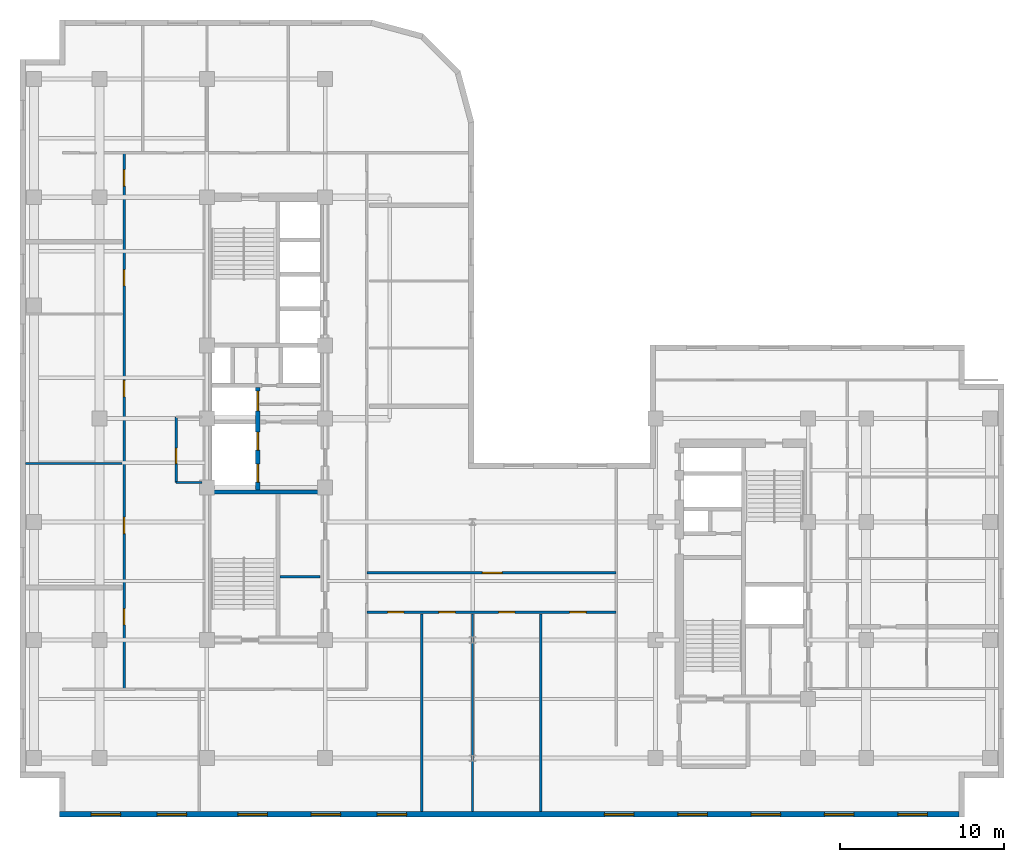
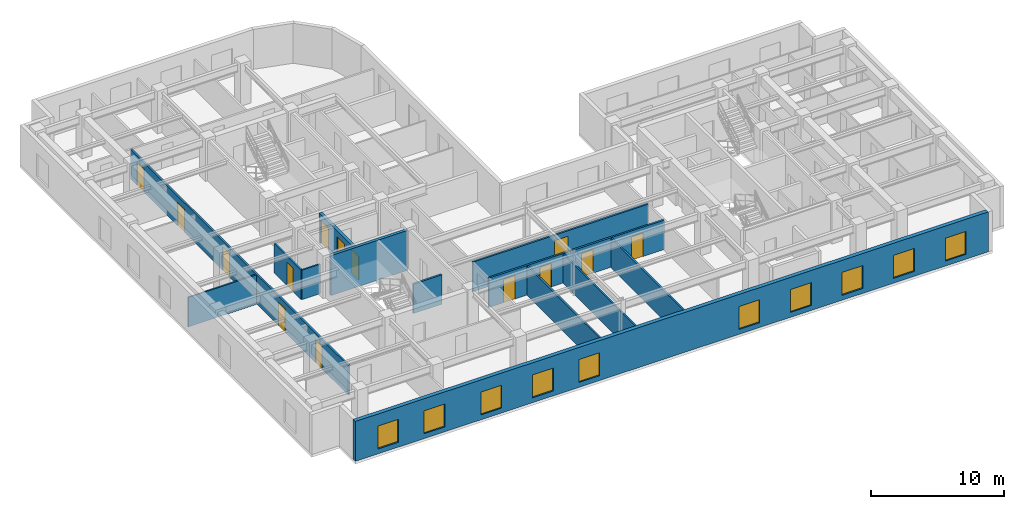
# One storey, part 4 of 11: 14 doors, 13 walls, 10 windows, 24 openings.
"""IFC4 building model written with IfcOpenShell, lengths in metres."""

from ifc_helpers import new_model, entity, si_unit, converted_unit, direction, frame, origin_with_axes, origin_2d_with_axis, place, context, subcontext, project, spatial, polyline, rectangle, outline, extrude, material, layer, layer_set, type_object, element, fill, save


model = new_model("IFC4")

# Units and contexts
model_context = context("Model", 3, precision=1e-05, world=origin_with_axes(), true_north=direction((0.0, 1.0)))
body_context = subcontext(model_context, "Body", "Model", "MODEL_VIEW")
ifc_project = project(units=[si_unit("LENGTHUNIT", "METRE"), si_unit("AREAUNIT", "SQUARE_METRE"), si_unit("VOLUMEUNIT", "CUBIC_METRE"), converted_unit("PLANEANGLEUNIT", "DEGREE", entity("IfcPlaneAngleMeasure", 0.017453292519943295), si_unit("PLANEANGLEUNIT", "RADIAN"), dimensions=[0, 0, 0, 0, 0, 0, 0]), si_unit("MASSUNIT", "GRAM", prefix="KILO"), si_unit("THERMODYNAMICTEMPERATUREUNIT", "KELVIN")], contexts=[model_context])

# Site, building, storey
site_placement = place(None, origin_with_axes())
site = spatial("IfcSite", under=ifc_project, at=site_placement, CompositionType="ELEMENT")
building_placement = place(site_placement, origin_with_axes())
building = spatial("IfcBuilding", under=site, at=building_placement, Name="Varnlund Millrace Tower", CompositionType="ELEMENT")
storey_placement = place(building_placement, frame((0.0, 0.0, 192.6), z_axis=(0.0, 0.0, 1.0), x_axis=(1.0, 0.0, 0.0)))
storey = spatial("IfcBuildingStorey", under=building, at=storey_placement, Name="L47", CompositionType="ELEMENT", Elevation=192.6)

# Wall, openings, windows
ifc_material_1 = material(Name="Precast concrete C50/60", Category="concrete")
ifc_layer_1 = layer(ifc_material_1, 0.34, Name="Precast concrete C50/60")
ifc_layer_set_1 = layer_set([ifc_layer_1], Name="Precast concrete C50/60")
wall_type_1 = type_object("IfcWallType", Name="Type-ExtWall-Precast-Upper-340", PredefinedType="SOLIDWALL", material=ifc_layer_set_1)
wall_1_placement = place(storey_placement, frame((57.26, 0.17, 0.0), z_axis=(0.0, 0.0, 1.0), x_axis=(-1.0, 0.0, 0.0)))
wall_1 = element("IfcWall", 1, at=wall_1_placement, inside=storey, type_object=wall_type_1, Name="Type-ExtWall-Precast-Upper-340", PredefinedType="SOLIDWALL", context=body_context, shape_type="SweptSolid", body=[
    extrude(outline(polyline([(0.0, -0.17), (54.86, -0.17), (54.86, 0.17), (0.0, 0.17), (0.0, -0.17)])), origin_with_axes(), (0.0, 0.0, 1.0), 3.66),
])
opening_1_placement = place(wall_1_placement, frame((2.836, 0.0, 0.45), z_axis=(0.0, 0.0, 1.0), x_axis=(1.0, 0.0, 0.0)))
opening_1 = element("IfcOpeningElement", 2, at=opening_1_placement, cuts=wall_1, Name="Opening L47:WN-08", PredefinedType="OPENING", context=body_context, shape_type="SweptSolid", body=[
    extrude(rectangle(XDim=1.8, YDim=0.36, at=origin_2d_with_axis()), origin_with_axes(), (0.0, 0.0, 1.0), 2.1),
])
opening_2_placement = place(wall_1_placement, frame((7.307, 0.0, 0.45), z_axis=(0.0, 0.0, 1.0), x_axis=(1.0, 0.0, 0.0)))
opening_2 = element("IfcOpeningElement", 3, at=opening_2_placement, cuts=wall_1, Name="Opening L47:WN-09", PredefinedType="OPENING", context=body_context, shape_type="SweptSolid", body=[
    extrude(rectangle(XDim=1.8, YDim=0.36, at=origin_2d_with_axis()), origin_with_axes(), (0.0, 0.0, 1.0), 2.1),
])
opening_3_placement = place(wall_1_placement, frame((11.779, 0.0, 0.45), z_axis=(0.0, 0.0, 1.0), x_axis=(1.0, 0.0, 0.0)))
opening_3 = element("IfcOpeningElement", 4, at=opening_3_placement, cuts=wall_1, Name="Opening L47:WN-10", PredefinedType="OPENING", context=body_context, shape_type="SweptSolid", body=[
    extrude(rectangle(XDim=1.8, YDim=0.36, at=origin_2d_with_axis()), origin_with_axes(), (0.0, 0.0, 1.0), 2.1),
])
opening_4_placement = place(wall_1_placement, frame((16.251, 0.0, 0.45), z_axis=(0.0, 0.0, 1.0), x_axis=(1.0, 0.0, 0.0)))
opening_4 = element("IfcOpeningElement", 5, at=opening_4_placement, cuts=wall_1, Name="Opening L47:WN-11", PredefinedType="OPENING", context=body_context, shape_type="SweptSolid", body=[
    extrude(rectangle(XDim=1.8, YDim=0.36, at=origin_2d_with_axis()), origin_with_axes(), (0.0, 0.0, 1.0), 2.1),
])
opening_5_placement = place(wall_1_placement, frame((20.723, 0.0, 0.45), z_axis=(0.0, 0.0, 1.0), x_axis=(1.0, 0.0, 0.0)))
opening_5 = element("IfcOpeningElement", 6, at=opening_5_placement, cuts=wall_1, Name="Opening L47:WN-12", PredefinedType="OPENING", context=body_context, shape_type="SweptSolid", body=[
    extrude(rectangle(XDim=1.8, YDim=0.36, at=origin_2d_with_axis()), origin_with_axes(), (0.0, 0.0, 1.0), 2.1),
])
opening_6_placement = place(wall_1_placement, frame((34.588, 0.0, 0.45), z_axis=(0.0, 0.0, 1.0), x_axis=(1.0, 0.0, 0.0)))
opening_6 = element("IfcOpeningElement", 7, at=opening_6_placement, cuts=wall_1, Name="Opening L47:WN-13", PredefinedType="OPENING", context=body_context, shape_type="SweptSolid", body=[
    extrude(rectangle(XDim=1.8, YDim=0.36, at=origin_2d_with_axis()), origin_with_axes(), (0.0, 0.0, 1.0), 2.1),
])
opening_7_placement = place(wall_1_placement, frame((38.609, 0.0, 0.45), z_axis=(0.0, 0.0, 1.0), x_axis=(1.0, 0.0, 0.0)))
opening_7 = element("IfcOpeningElement", 8, at=opening_7_placement, cuts=wall_1, Name="Opening L47:WN-14", PredefinedType="OPENING", context=body_context, shape_type="SweptSolid", body=[
    extrude(rectangle(XDim=1.8, YDim=0.36, at=origin_2d_with_axis()), origin_with_axes(), (0.0, 0.0, 1.0), 2.1),
])
opening_8_placement = place(wall_1_placement, frame((43.081, 0.0, 0.45), z_axis=(0.0, 0.0, 1.0), x_axis=(1.0, 0.0, 0.0)))
opening_8 = element("IfcOpeningElement", 9, at=opening_8_placement, cuts=wall_1, Name="Opening L47:WN-15", PredefinedType="OPENING", context=body_context, shape_type="SweptSolid", body=[
    extrude(rectangle(XDim=1.8, YDim=0.36, at=origin_2d_with_axis()), origin_with_axes(), (0.0, 0.0, 1.0), 2.1),
])
opening_9_placement = place(wall_1_placement, frame((48.003, 0.0, 0.45), z_axis=(0.0, 0.0, 1.0), x_axis=(1.0, 0.0, 0.0)))
opening_9 = element("IfcOpeningElement", 10, at=opening_9_placement, cuts=wall_1, Name="Opening L47:WN-16", PredefinedType="OPENING", context=body_context, shape_type="SweptSolid", body=[
    extrude(rectangle(XDim=1.8, YDim=0.36, at=origin_2d_with_axis()), origin_with_axes(), (0.0, 0.0, 1.0), 2.1),
])
opening_10_placement = place(wall_1_placement, frame((52.024, 0.0, 0.45), z_axis=(0.0, 0.0, 1.0), x_axis=(1.0, 0.0, 0.0)))
opening_10 = element("IfcOpeningElement", 11, at=opening_10_placement, cuts=wall_1, Name="Opening L47:WN-17", PredefinedType="OPENING", context=body_context, shape_type="SweptSolid", body=[
    extrude(rectangle(XDim=1.8, YDim=0.36, at=origin_2d_with_axis()), origin_with_axes(), (0.0, 0.0, 1.0), 2.1),
])
ifc_material_2 = material(Name="Argon low-e triple glazing in thermally broken bronze frame", Category="glass")
window_type = type_object("IfcWindowType", Name="Type-Window-Punched-1800X2100", PartitioningType="SINGLE_PANEL", PredefinedType="WINDOW", material=ifc_material_2)
window_1_placement = place(wall_1_placement, frame((2.836, 0.0, 0.45), z_axis=(0.0, 0.0, 1.0), x_axis=(1.0, 0.0, 0.0)))
window_1 = element("IfcWindow", 12, at=window_1_placement, inside=storey, type_object=window_type, Name="Type-Window-Punched-1800X2100", OverallHeight=2.1, OverallWidth=1.8, PredefinedType="WINDOW", context=body_context, shape_type="SweptSolid", body=[
    extrude(rectangle(XDim=1.8, YDim=0.09, at=origin_2d_with_axis()), origin_with_axes(), (0.0, 0.0, 1.0), 2.1),
])
fill(opening_1, window_1)
window_2_placement = place(wall_1_placement, frame((7.307, 0.0, 0.45), z_axis=(0.0, 0.0, 1.0), x_axis=(1.0, 0.0, 0.0)))
window_2 = element("IfcWindow", 13, at=window_2_placement, inside=storey, type_object=window_type, Name="Type-Window-Punched-1800X2100", OverallHeight=2.1, OverallWidth=1.8, PredefinedType="WINDOW", context=body_context, shape_type="SweptSolid", body=[
    extrude(rectangle(XDim=1.8, YDim=0.09, at=origin_2d_with_axis()), origin_with_axes(), (0.0, 0.0, 1.0), 2.1),
])
fill(opening_2, window_2)
window_3_placement = place(wall_1_placement, frame((11.779, 0.0, 0.45), z_axis=(0.0, 0.0, 1.0), x_axis=(1.0, 0.0, 0.0)))
window_3 = element("IfcWindow", 14, at=window_3_placement, inside=storey, type_object=window_type, Name="Type-Window-Punched-1800X2100", OverallHeight=2.1, OverallWidth=1.8, PredefinedType="WINDOW", context=body_context, shape_type="SweptSolid", body=[
    extrude(rectangle(XDim=1.8, YDim=0.09, at=origin_2d_with_axis()), origin_with_axes(), (0.0, 0.0, 1.0), 2.1),
])
fill(opening_3, window_3)
window_4_placement = place(wall_1_placement, frame((16.251, 0.0, 0.45), z_axis=(0.0, 0.0, 1.0), x_axis=(1.0, 0.0, 0.0)))
window_4 = element("IfcWindow", 15, at=window_4_placement, inside=storey, type_object=window_type, Name="Type-Window-Punched-1800X2100", OverallHeight=2.1, OverallWidth=1.8, PredefinedType="WINDOW", context=body_context, shape_type="SweptSolid", body=[
    extrude(rectangle(XDim=1.8, YDim=0.09, at=origin_2d_with_axis()), origin_with_axes(), (0.0, 0.0, 1.0), 2.1),
])
fill(opening_4, window_4)
window_5_placement = place(wall_1_placement, frame((20.723, 0.0, 0.45), z_axis=(0.0, 0.0, 1.0), x_axis=(1.0, 0.0, 0.0)))
window_5 = element("IfcWindow", 16, at=window_5_placement, inside=storey, type_object=window_type, Name="Type-Window-Punched-1800X2100", OverallHeight=2.1, OverallWidth=1.8, PredefinedType="WINDOW", context=body_context, shape_type="SweptSolid", body=[
    extrude(rectangle(XDim=1.8, YDim=0.09, at=origin_2d_with_axis()), origin_with_axes(), (0.0, 0.0, 1.0), 2.1),
])
fill(opening_5, window_5)
window_6_placement = place(wall_1_placement, frame((34.588, 0.0, 0.45), z_axis=(0.0, 0.0, 1.0), x_axis=(1.0, 0.0, 0.0)))
window_6 = element("IfcWindow", 17, at=window_6_placement, inside=storey, type_object=window_type, Name="Type-Window-Punched-1800X2100", OverallHeight=2.1, OverallWidth=1.8, PredefinedType="WINDOW", context=body_context, shape_type="SweptSolid", body=[
    extrude(rectangle(XDim=1.8, YDim=0.09, at=origin_2d_with_axis()), origin_with_axes(), (0.0, 0.0, 1.0), 2.1),
])
fill(opening_6, window_6)
window_7_placement = place(wall_1_placement, frame((38.609, 0.0, 0.45), z_axis=(0.0, 0.0, 1.0), x_axis=(1.0, 0.0, 0.0)))
window_7 = element("IfcWindow", 18, at=window_7_placement, inside=storey, type_object=window_type, Name="Type-Window-Punched-1800X2100", OverallHeight=2.1, OverallWidth=1.8, PredefinedType="WINDOW", context=body_context, shape_type="SweptSolid", body=[
    extrude(rectangle(XDim=1.8, YDim=0.09, at=origin_2d_with_axis()), origin_with_axes(), (0.0, 0.0, 1.0), 2.1),
])
fill(opening_7, window_7)
window_8_placement = place(wall_1_placement, frame((43.081, 0.0, 0.45), z_axis=(0.0, 0.0, 1.0), x_axis=(1.0, 0.0, 0.0)))
window_8 = element("IfcWindow", 19, at=window_8_placement, inside=storey, type_object=window_type, Name="Type-Window-Punched-1800X2100", OverallHeight=2.1, OverallWidth=1.8, PredefinedType="WINDOW", context=body_context, shape_type="SweptSolid", body=[
    extrude(rectangle(XDim=1.8, YDim=0.09, at=origin_2d_with_axis()), origin_with_axes(), (0.0, 0.0, 1.0), 2.1),
])
fill(opening_8, window_8)
window_9_placement = place(wall_1_placement, frame((48.003, 0.0, 0.45), z_axis=(0.0, 0.0, 1.0), x_axis=(1.0, 0.0, 0.0)))
window_9 = element("IfcWindow", 20, at=window_9_placement, inside=storey, type_object=window_type, Name="Type-Window-Punched-1800X2100", OverallHeight=2.1, OverallWidth=1.8, PredefinedType="WINDOW", context=body_context, shape_type="SweptSolid", body=[
    extrude(rectangle(XDim=1.8, YDim=0.09, at=origin_2d_with_axis()), origin_with_axes(), (0.0, 0.0, 1.0), 2.1),
])
fill(opening_9, window_9)
window_10_placement = place(wall_1_placement, frame((52.024, 0.0, 0.45), z_axis=(0.0, 0.0, 1.0), x_axis=(1.0, 0.0, 0.0)))
window_10 = element("IfcWindow", 21, at=window_10_placement, inside=storey, type_object=window_type, Name="Type-Window-Punched-1800X2100", OverallHeight=2.1, OverallWidth=1.8, PredefinedType="WINDOW", context=body_context, shape_type="SweptSolid", body=[
    extrude(rectangle(XDim=1.8, YDim=0.09, at=origin_2d_with_axis()), origin_with_axes(), (0.0, 0.0, 1.0), 2.1),
])
fill(opening_10, window_10)

# Wall
ifc_material_3 = material(Name="Fire-rated gypsum board on cold-formed steel framing", Category="steel")
ifc_layer_2 = layer(ifc_material_3, 0.16, Name="Fire-rated gypsum board on cold-formed steel framing")
ifc_layer_set_2 = layer_set([ifc_layer_2], Name="Fire-rated gypsum board on cold-formed steel framing")
wall_type_2 = type_object("IfcWallType", Name="Type-Partition-Corridor-160", PredefinedType="PARTITIONING", material=ifc_layer_set_2)
wall_2_placement = place(storey_placement, frame((15.84, 14.65, 0.0), z_axis=(0.0, 0.0, 1.0), x_axis=(1.0, 0.0, 0.0)))
element("IfcWall", 22, at=wall_2_placement, inside=storey, type_object=wall_type_2, Name="Type-Partition-Corridor-160", PredefinedType="PARTITIONING", context=body_context, shape_type="SweptSolid", body=[
    extrude(outline(polyline([(0.0, -0.08), (2.46, -0.08), (2.46, 0.08), (0.0, 0.08), (0.0, -0.08)])), origin_with_axes(), (0.0, 0.0, 1.0), 2.7),
])

# Wall, openings, doors
wall_3_placement = place(storey_placement, frame((6.35, 7.8, 0.0), z_axis=(0.0, 0.0, 1.0), x_axis=(0.0, 1.0, 0.0)))
wall_3 = element("IfcWall", 23, at=wall_3_placement, inside=storey, type_object=wall_type_2, Name="Type-Partition-Corridor-160", PredefinedType="PARTITIONING", context=body_context, shape_type="SweptSolid", body=[
    extrude(outline(polyline([(0.0, -0.08), (32.7, -0.08), (32.7, 0.08), (0.0, 0.08), (0.0, -0.08)])), origin_with_axes(), (0.0, 0.0, 1.0), 2.7),
])
opening_11_placement = place(wall_3_placement, frame((4.415, 0.0, 0.0), z_axis=(0.0, 0.0, 1.0), x_axis=(1.0, 0.0, 0.0)))
opening_11 = element("IfcOpeningElement", 24, at=opening_11_placement, cuts=wall_3, Name="Opening L47:DR-W-01", PredefinedType="OPENING", context=body_context, shape_type="SweptSolid", body=[
    extrude(rectangle(XDim=1.0, YDim=0.18, at=origin_2d_with_axis()), origin_with_axes(), (0.0, 0.0, 1.0), 2.15),
])
opening_12_placement = place(wall_3_placement, frame((9.9865, 0.0, 0.0), z_axis=(0.0, 0.0, 1.0), x_axis=(1.0, 0.0, 0.0)))
opening_12 = element("IfcOpeningElement", 25, at=opening_12_placement, cuts=wall_3, Name="Opening L47:DR-W-02", PredefinedType="OPENING", context=body_context, shape_type="SweptSolid", body=[
    extrude(rectangle(XDim=1.0, YDim=0.18, at=origin_2d_with_axis()), origin_with_axes(), (0.0, 0.0, 1.0), 2.15),
])
opening_13_placement = place(wall_3_placement, frame((18.332, 0.0, 0.0), z_axis=(0.0, 0.0, 1.0), x_axis=(1.0, 0.0, 0.0)))
opening_13 = element("IfcOpeningElement", 26, at=opening_13_placement, cuts=wall_3, Name="Opening L47:DR-W-03", PredefinedType="OPENING", context=body_context, shape_type="SweptSolid", body=[
    extrude(rectangle(XDim=1.0, YDim=0.18, at=origin_2d_with_axis()), origin_with_axes(), (0.0, 0.0, 1.0), 2.15),
])
opening_14_placement = place(wall_3_placement, frame((25.088, 0.0, 0.0), z_axis=(0.0, 0.0, 1.0), x_axis=(1.0, 0.0, 0.0)))
opening_14 = element("IfcOpeningElement", 27, at=opening_14_placement, cuts=wall_3, Name="Opening L47:DR-W-04", PredefinedType="OPENING", context=body_context, shape_type="SweptSolid", body=[
    extrude(rectangle(XDim=1.0, YDim=0.18, at=origin_2d_with_axis()), origin_with_axes(), (0.0, 0.0, 1.0), 2.15),
])
opening_15_placement = place(wall_3_placement, frame((31.177, 0.0, 0.0), z_axis=(0.0, 0.0, 1.0), x_axis=(1.0, 0.0, 0.0)))
opening_15 = element("IfcOpeningElement", 28, at=opening_15_placement, cuts=wall_3, Name="Opening L47:DR-W-05", PredefinedType="OPENING", context=body_context, shape_type="SweptSolid", body=[
    extrude(rectangle(XDim=1.0, YDim=0.18, at=origin_2d_with_axis()), origin_with_axes(), (0.0, 0.0, 1.0), 2.15),
])
ifc_material_4 = material(Name="Solid-core white oak and bronze frame door")
door_type_1 = type_object("IfcDoorType", Name="Type-IntDoor-Office-1000X2150", OperationType="NOTDEFINED", PredefinedType="DOOR", material=ifc_material_4)
door_1_placement = place(wall_3_placement, frame((4.415, 0.0, 0.0), z_axis=(0.0, 0.0, 1.0), x_axis=(1.0, 0.0, 0.0)))
door_1 = element("IfcDoor", 29, at=door_1_placement, inside=storey, type_object=door_type_1, Name="Type-IntDoor-Office-1000X2150", OperationType="SINGLE_SWING_LEFT", OverallHeight=2.15, OverallWidth=1.0, PredefinedType="DOOR", context=body_context, shape_type="SweptSolid", body=[
    extrude(rectangle(XDim=1.0, YDim=0.09, at=origin_2d_with_axis()), origin_with_axes(), (0.0, 0.0, 1.0), 2.15),
])
fill(opening_11, door_1)
door_2_placement = place(wall_3_placement, frame((9.9865, 0.0, 0.0), z_axis=(0.0, 0.0, 1.0), x_axis=(1.0, 0.0, 0.0)))
door_2 = element("IfcDoor", 30, at=door_2_placement, inside=storey, type_object=door_type_1, Name="Type-IntDoor-Office-1000X2150", OperationType="SINGLE_SWING_RIGHT", OverallHeight=2.15, OverallWidth=1.0, PredefinedType="DOOR", context=body_context, shape_type="SweptSolid", body=[
    extrude(rectangle(XDim=1.0, YDim=0.09, at=origin_2d_with_axis()), origin_with_axes(), (0.0, 0.0, 1.0), 2.15),
])
fill(opening_12, door_2)
door_3_placement = place(wall_3_placement, frame((18.332, 0.0, 0.0), z_axis=(0.0, 0.0, 1.0), x_axis=(1.0, 0.0, 0.0)))
door_3 = element("IfcDoor", 31, at=door_3_placement, inside=storey, type_object=door_type_1, Name="Type-IntDoor-Office-1000X2150", OperationType="SINGLE_SWING_LEFT", OverallHeight=2.15, OverallWidth=1.0, PredefinedType="DOOR", context=body_context, shape_type="SweptSolid", body=[
    extrude(rectangle(XDim=1.0, YDim=0.09, at=origin_2d_with_axis()), origin_with_axes(), (0.0, 0.0, 1.0), 2.15),
])
fill(opening_13, door_3)
door_4_placement = place(wall_3_placement, frame((25.088, 0.0, 0.0), z_axis=(0.0, 0.0, 1.0), x_axis=(1.0, 0.0, 0.0)))
door_4 = element("IfcDoor", 32, at=door_4_placement, inside=storey, type_object=door_type_1, Name="Type-IntDoor-Office-1000X2150", OperationType="SINGLE_SWING_RIGHT", OverallHeight=2.15, OverallWidth=1.0, PredefinedType="DOOR", context=body_context, shape_type="SweptSolid", body=[
    extrude(rectangle(XDim=1.0, YDim=0.09, at=origin_2d_with_axis()), origin_with_axes(), (0.0, 0.0, 1.0), 2.15),
])
fill(opening_14, door_4)
door_5_placement = place(wall_3_placement, frame((31.177, 0.0, 0.0), z_axis=(0.0, 0.0, 1.0), x_axis=(1.0, 0.0, 0.0)))
door_5 = element("IfcDoor", 33, at=door_5_placement, inside=storey, type_object=door_type_1, Name="Type-IntDoor-Office-1000X2150", OperationType="SINGLE_SWING_LEFT", OverallHeight=2.15, OverallWidth=1.0, PredefinedType="DOOR", context=body_context, shape_type="SweptSolid", body=[
    extrude(rectangle(XDim=1.0, YDim=0.09, at=origin_2d_with_axis()), origin_with_axes(), (0.0, 0.0, 1.0), 2.15),
])
fill(opening_15, door_5)

wall_4_placement = place(storey_placement, frame((21.15, 12.5, 0.0), z_axis=(0.0, 0.0, 1.0), x_axis=(1.0, 0.0, 0.0)))
wall_4 = element("IfcWall", 34, at=wall_4_placement, inside=storey, type_object=wall_type_2, Name="Type-Partition-Corridor-160", PredefinedType="PARTITIONING", context=body_context, shape_type="SweptSolid", body=[
    extrude(outline(polyline([(0.0, -0.08), (15.2, -0.08), (15.2, 0.08), (0.0, 0.08), (0.0, -0.08)])), origin_with_axes(), (0.0, 0.0, 1.0), 2.7),
])
opening_16_placement = place(wall_4_placement, frame((1.7625, 0.0, 0.0), z_axis=(0.0, 0.0, 1.0), x_axis=(1.0, 0.0, 0.0)))
opening_16 = element("IfcOpeningElement", 35, at=opening_16_placement, cuts=wall_4, Name="Opening L47:DR-KNS-01", PredefinedType="OPENING", context=body_context, shape_type="SweptSolid", body=[
    extrude(rectangle(XDim=1.0, YDim=0.18, at=origin_2d_with_axis()), origin_with_axes(), (0.0, 0.0, 1.0), 2.15),
])
opening_17_placement = place(wall_4_placement, frame((4.8975, 0.0, 0.0), z_axis=(0.0, 0.0, 1.0), x_axis=(1.0, 0.0, 0.0)))
opening_17 = element("IfcOpeningElement", 36, at=opening_17_placement, cuts=wall_4, Name="Opening L47:DR-KNS-02", PredefinedType="OPENING", context=body_context, shape_type="SweptSolid", body=[
    extrude(rectangle(XDim=1.0, YDim=0.18, at=origin_2d_with_axis()), origin_with_axes(), (0.0, 0.0, 1.0), 2.15),
])
opening_18_placement = place(wall_4_placement, frame((8.5275, 0.0, 0.0), z_axis=(0.0, 0.0, 1.0), x_axis=(1.0, 0.0, 0.0)))
opening_18 = element("IfcOpeningElement", 37, at=opening_18_placement, cuts=wall_4, Name="Opening L47:DR-KNS-03", PredefinedType="OPENING", context=body_context, shape_type="SweptSolid", body=[
    extrude(rectangle(XDim=1.0, YDim=0.18, at=origin_2d_with_axis()), origin_with_axes(), (0.0, 0.0, 1.0), 2.15),
])
opening_19_placement = place(wall_4_placement, frame((12.8625, 0.0, 0.0), z_axis=(0.0, 0.0, 1.0), x_axis=(1.0, 0.0, 0.0)))
opening_19 = element("IfcOpeningElement", 38, at=opening_19_placement, cuts=wall_4, Name="Opening L47:DR-KNS-04", PredefinedType="OPENING", context=body_context, shape_type="SweptSolid", body=[
    extrude(rectangle(XDim=1.0, YDim=0.18, at=origin_2d_with_axis()), origin_with_axes(), (0.0, 0.0, 1.0), 2.15),
])
door_6_placement = place(wall_4_placement, frame((1.7625, 0.0, 0.0), z_axis=(0.0, 0.0, 1.0), x_axis=(1.0, 0.0, 0.0)))
door_6 = element("IfcDoor", 39, at=door_6_placement, inside=storey, type_object=door_type_1, Name="Type-IntDoor-Office-1000X2150", OperationType="SINGLE_SWING_LEFT", OverallHeight=2.15, OverallWidth=1.0, PredefinedType="DOOR", context=body_context, shape_type="SweptSolid", body=[
    extrude(rectangle(XDim=1.0, YDim=0.09, at=origin_2d_with_axis()), origin_with_axes(), (0.0, 0.0, 1.0), 2.15),
])
fill(opening_16, door_6)
door_7_placement = place(wall_4_placement, frame((4.8975, 0.0, 0.0), z_axis=(0.0, 0.0, 1.0), x_axis=(1.0, 0.0, 0.0)))
door_7 = element("IfcDoor", 40, at=door_7_placement, inside=storey, type_object=door_type_1, Name="Type-IntDoor-Office-1000X2150", OperationType="SINGLE_SWING_RIGHT", OverallHeight=2.15, OverallWidth=1.0, PredefinedType="DOOR", context=body_context, shape_type="SweptSolid", body=[
    extrude(rectangle(XDim=1.0, YDim=0.09, at=origin_2d_with_axis()), origin_with_axes(), (0.0, 0.0, 1.0), 2.15),
])
fill(opening_17, door_7)
door_8_placement = place(wall_4_placement, frame((8.5275, 0.0, 0.0), z_axis=(0.0, 0.0, 1.0), x_axis=(1.0, 0.0, 0.0)))
door_8 = element("IfcDoor", 41, at=door_8_placement, inside=storey, type_object=door_type_1, Name="Type-IntDoor-Office-1000X2150", OperationType="SINGLE_SWING_LEFT", OverallHeight=2.15, OverallWidth=1.0, PredefinedType="DOOR", context=body_context, shape_type="SweptSolid", body=[
    extrude(rectangle(XDim=1.0, YDim=0.09, at=origin_2d_with_axis()), origin_with_axes(), (0.0, 0.0, 1.0), 2.15),
])
fill(opening_18, door_8)
door_9_placement = place(wall_4_placement, frame((12.8625, 0.0, 0.0), z_axis=(0.0, 0.0, 1.0), x_axis=(1.0, 0.0, 0.0)))
door_9 = element("IfcDoor", 42, at=door_9_placement, inside=storey, type_object=door_type_1, Name="Type-IntDoor-Office-1000X2150", OperationType="SINGLE_SWING_RIGHT", OverallHeight=2.15, OverallWidth=1.0, PredefinedType="DOOR", context=body_context, shape_type="SweptSolid", body=[
    extrude(rectangle(XDim=1.0, YDim=0.09, at=origin_2d_with_axis()), origin_with_axes(), (0.0, 0.0, 1.0), 2.15),
])
fill(opening_19, door_9)

# Wall, opening, door
wall_5_placement = place(storey_placement, frame((21.15, 14.9, 0.0), z_axis=(0.0, 0.0, 1.0), x_axis=(1.0, 0.0, 0.0)))
wall_5 = element("IfcWall", 43, at=wall_5_placement, inside=storey, type_object=wall_type_2, Name="Type-Partition-Corridor-160", PredefinedType="PARTITIONING", context=body_context, shape_type="SweptSolid", body=[
    extrude(outline(polyline([(0.0, -0.08), (15.2, -0.08), (15.2, 0.08), (0.0, 0.08), (0.0, -0.08)])), origin_with_axes(), (0.0, 0.0, 1.0), 2.7),
])
opening_20_placement = place(wall_5_placement, frame((7.65, 0.0, 0.0), z_axis=(0.0, 0.0, 1.0), x_axis=(1.0, 0.0, 0.0)))
opening_20 = element("IfcOpeningElement", 44, at=opening_20_placement, cuts=wall_5, Name="Opening L47:DR-KN-01", PredefinedType="OPENING", context=body_context, shape_type="SweptSolid", body=[
    extrude(rectangle(XDim=1.2, YDim=0.18, at=origin_2d_with_axis()), origin_with_axes(), (0.0, 0.0, 1.0), 2.2),
])
ifc_material_5 = material(Name="Wide executive white oak acoustic door")
door_type_2 = type_object("IfcDoorType", Name="Type-IntDoor-Exec-1200X2200", OperationType="NOTDEFINED", PredefinedType="DOOR", material=ifc_material_5)
door_10_placement = place(wall_5_placement, frame((7.65, 0.0, 0.0), z_axis=(0.0, 0.0, 1.0), x_axis=(1.0, 0.0, 0.0)))
door_10 = element("IfcDoor", 45, at=door_10_placement, inside=storey, type_object=door_type_2, Name="Type-IntDoor-Exec-1200X2200", OperationType="SINGLE_SWING_LEFT", OverallHeight=2.2, OverallWidth=1.2, PredefinedType="DOOR", context=body_context, shape_type="SweptSolid", body=[
    extrude(rectangle(XDim=1.2, YDim=0.09, at=origin_2d_with_axis()), origin_with_axes(), (0.0, 0.0, 1.0), 2.2),
])
fill(opening_20, door_10)

# Walls
ifc_material_6 = material(Name="Acoustic STC-50 gypsum board partition", Category="gypsum")
ifc_layer_3 = layer(ifc_material_6, 0.15, Name="Acoustic STC-50 gypsum board partition")
ifc_layer_set_3 = layer_set([ifc_layer_3], Name="Acoustic STC-50 gypsum board partition")
wall_type_3 = type_object("IfcWallType", Name="Type-Partition-Demising-150", PredefinedType="PARTITIONING", material=ifc_layer_set_3)
for number, where, z_axis, x_axis, name in (
    (46, (24.495, 0.335, 0.0), (0.0, 0.0, 1.0), (0.0, 1.0, 0.0), "Type-Partition-Demising-150"),
    (47, (31.755, 0.335, 0.0), (0.0, 0.0, 1.0), (0.0, 1.0, 0.0), "Type-Partition-Demising-150"),
):
    element("IfcWall", number, at=place(storey_placement, frame(where, z_axis=z_axis, x_axis=x_axis)), inside=storey, type_object=wall_type_3, Name=name, PredefinedType="PARTITIONING", context=body_context, shape_type="SweptSolid", body=[
        extrude(outline(polyline([(0.0, -0.075), (12.045, -0.075), (12.045, 0.075), (0.0, 0.075), (0.0, -0.075)])), origin_with_axes(), (0.0, 0.0, 1.0), 2.7),
    ])
ifc_material_7 = material(Name="Gypsum board tenant partition", Category="gypsum")
ifc_layer_4 = layer(ifc_material_7, 0.125, Name="Gypsum board tenant partition")
ifc_layer_set_4 = layer_set([ifc_layer_4], Name="Gypsum board tenant partition")
wall_type_4 = type_object("IfcWallType", Name="Type-Partition-Tenant-125", PredefinedType="PARTITIONING", material=ifc_layer_set_4)
wall_6_placement = place(storey_placement, frame((0.335, 21.572, 0.0), z_axis=(0.0, 0.0, 1.0), x_axis=(1.0, 0.0, 0.0)))
element("IfcWall", 48, at=wall_6_placement, inside=storey, type_object=wall_type_4, Name="Type-Partition-Tenant-125", PredefinedType="PARTITIONING", context=body_context, shape_type="SweptSolid", body=[
    extrude(outline(polyline([(0.0, -0.0625), (5.895, -0.0625), (5.895, 0.0625), (0.0, 0.0625), (0.0, -0.0625)])), origin_with_axes(), (0.0, 0.0, 1.0), 2.7),
])
wall_7_placement = place(storey_placement, frame((27.6, 0.335, 0.0), z_axis=(0.0, 0.0, 1.0), x_axis=(0.0, 1.0, 0.0)))
element("IfcWall", 49, at=wall_7_placement, inside=storey, type_object=wall_type_4, Name="Type-Partition-Tenant-125", PredefinedType="PARTITIONING", context=body_context, shape_type="SweptSolid", body=[
    extrude(outline(polyline([(0.0, -0.0625), (12.045, -0.0625), (12.045, 0.0625), (0.0, 0.0625), (0.0, -0.0625)])), origin_with_axes(), (0.0, 0.0, 1.0), 2.7),
])

# Wall, opening, door
ifc_material_8 = material(Name="Moisture-resistant gypsum restroom partition", Category="gypsum")
ifc_layer_5 = layer(ifc_material_8, 0.14, Name="Moisture-resistant gypsum restroom partition")
ifc_layer_set_5 = layer_set([ifc_layer_5], Name="Moisture-resistant gypsum restroom partition")
wall_type_5 = type_object("IfcWallType", Name="Type-Partition-Wet-140", PredefinedType="PARTITIONING", material=ifc_layer_set_5)
wall_8_placement = place(storey_placement, frame((9.52, 20.4, 0.0), z_axis=(0.0, 0.0, 1.0), x_axis=(0.0, 1.0, 0.0)))
wall_8 = element("IfcWall", 50, at=wall_8_placement, inside=storey, type_object=wall_type_5, Name="Type-Partition-Wet-140", PredefinedType="PARTITIONING", context=body_context, shape_type="SweptSolid", body=[
    extrude(outline(polyline([(0.0, -0.07), (4.0, -0.07), (4.0, 0.07), (0.0, 0.07), (0.0, -0.07)])), origin_with_axes(), (0.0, 0.0, 1.0), 2.7),
])
opening_21_placement = place(wall_8_placement, frame((1.625, 0.0, 0.0), z_axis=(0.0, 0.0, 1.0), x_axis=(1.0, 0.0, 0.0)))
opening_21 = element("IfcOpeningElement", 51, at=opening_21_placement, cuts=wall_8, Name="Opening L47:DR-CA-WCW", PredefinedType="OPENING", context=body_context, shape_type="SweptSolid", body=[
    extrude(rectangle(XDim=0.95, YDim=0.16, at=origin_2d_with_axis()), origin_with_axes(), (0.0, 0.0, 1.0), 2.15),
])
ifc_material_9 = material(Name="Solid-core acoustic office door")
door_type_3 = type_object("IfcDoorType", Name="Type-IntDoor-Tenant-950X2150", OperationType="NOTDEFINED", PredefinedType="DOOR", material=ifc_material_9)
door_11_placement = place(wall_8_placement, frame((1.625, 0.0, 0.0), z_axis=(0.0, 0.0, 1.0), x_axis=(1.0, 0.0, 0.0)))
door_11 = element("IfcDoor", 52, at=door_11_placement, inside=storey, type_object=door_type_3, Name="Type-IntDoor-Tenant-950X2150", OperationType="SINGLE_SWING_LEFT", OverallHeight=2.15, OverallWidth=0.95, PredefinedType="DOOR", context=body_context, shape_type="SweptSolid", body=[
    extrude(rectangle(XDim=0.95, YDim=0.084, at=origin_2d_with_axis()), origin_with_axes(), (0.0, 0.0, 1.0), 2.15),
])
fill(opening_21, door_11)

# Wall
wall_9_placement = place(storey_placement, frame((9.52, 20.4, 0.0), z_axis=(0.0, 0.0, 1.0), x_axis=(1.0, 0.0, 0.0)))
element("IfcWall", 53, at=wall_9_placement, inside=storey, type_object=wall_type_5, Name="Type-Partition-Wet-140", PredefinedType="PARTITIONING", context=body_context, shape_type="SweptSolid", body=[
    extrude(outline(polyline([(0.0, -0.07), (1.58, -0.07), (1.58, 0.07), (0.0, 0.07), (0.0, -0.07)])), origin_with_axes(), (0.0, 0.0, 1.0), 2.7),
])

# Wall, openings, doors
ifc_material_10 = material(Name="Concrete C60/75", Category="concrete")
ifc_layer_6 = layer(ifc_material_10, 0.25, Name="Concrete C60/75")
ifc_layer_set_6 = layer_set([ifc_layer_6], Name="Concrete C60/75")
wall_type_6 = type_object("IfcWallType", Name="Type-ShaftWall-Fire-250", PredefinedType="SOLIDWALL", material=ifc_layer_set_6)
wall_10_placement = place(storey_placement, frame((14.5, 19.95, 0.0), z_axis=(0.0, 0.0, 1.0), x_axis=(0.0, 1.0, 0.0)))
wall_10 = element("IfcWall", 54, at=wall_10_placement, inside=storey, type_object=wall_type_6, Name="Type-ShaftWall-Fire-250", PredefinedType="SOLIDWALL", context=body_context, shape_type="SweptSolid", body=[
    extrude(outline(polyline([(0.0, -0.125), (6.25, -0.125), (6.25, 0.125), (0.0, 0.125), (0.0, -0.125)])), origin_with_axes(), (0.0, 0.0, 1.0), 2.7),
])
opening_22_placement = place(wall_10_placement, frame((1.025, 0.0, 0.0), z_axis=(0.0, 0.0, 1.0), x_axis=(1.0, 0.0, 0.0)))
opening_22 = element("IfcOpeningElement", 55, at=opening_22_placement, cuts=wall_10, Name="Opening L47:LD-FSAE1", PredefinedType="OPENING", context=body_context, shape_type="SweptSolid", body=[
    extrude(rectangle(XDim=1.1, YDim=0.27, at=origin_2d_with_axis()), origin_with_axes(), (0.0, 0.0, 1.0), 2.15),
])
opening_23_placement = place(wall_10_placement, frame((2.975, 0.0, 0.0), z_axis=(0.0, 0.0, 1.0), x_axis=(1.0, 0.0, 0.0)))
opening_23 = element("IfcOpeningElement", 56, at=opening_23_placement, cuts=wall_10, Name="Opening L47:LD-FSAE2", PredefinedType="OPENING", context=body_context, shape_type="SweptSolid", body=[
    extrude(rectangle(XDim=1.1, YDim=0.27, at=origin_2d_with_axis()), origin_with_axes(), (0.0, 0.0, 1.0), 2.15),
])
opening_24_placement = place(wall_10_placement, frame((5.425, 0.0, 0.0), z_axis=(0.0, 0.0, 1.0), x_axis=(1.0, 0.0, 0.0)))
opening_24 = element("IfcOpeningElement", 57, at=opening_24_placement, cuts=wall_10, Name="Opening L47:LD-SRV1", PredefinedType="OPENING", context=body_context, shape_type="SweptSolid", body=[
    extrude(rectangle(XDim=1.2, YDim=0.27, at=origin_2d_with_axis()), origin_with_axes(), (0.0, 0.0, 1.0), 2.15),
])
ifc_material_11 = material(Name="Stainless and architectural bronze sliding landing door")
door_type_4 = type_object("IfcDoorType", Name="Type-LiftLandingDoor-1100X2150", OperationType="NOTDEFINED", PredefinedType="DOOR", material=ifc_material_11)
door_12_placement = place(wall_10_placement, frame((1.025, 0.0, 0.0), z_axis=(0.0, 0.0, 1.0), x_axis=(1.0, 0.0, 0.0)))
door_12 = element("IfcDoor", 58, at=door_12_placement, inside=storey, type_object=door_type_4, Name="Type-LiftLandingDoor-1100X2150", OperationType="SLIDING_TO_LEFT", OverallHeight=2.15, OverallWidth=1.1, PredefinedType="DOOR", context=body_context, shape_type="SweptSolid", body=[
    extrude(rectangle(XDim=1.1, YDim=0.09, at=origin_2d_with_axis()), origin_with_axes(), (0.0, 0.0, 1.0), 2.15),
])
fill(opening_22, door_12)
door_13_placement = place(wall_10_placement, frame((2.975, 0.0, 0.0), z_axis=(0.0, 0.0, 1.0), x_axis=(1.0, 0.0, 0.0)))
door_13 = element("IfcDoor", 59, at=door_13_placement, inside=storey, type_object=door_type_4, Name="Type-LiftLandingDoor-1100X2150", OperationType="SLIDING_TO_RIGHT", OverallHeight=2.15, OverallWidth=1.1, PredefinedType="DOOR", context=body_context, shape_type="SweptSolid", body=[
    extrude(rectangle(XDim=1.1, YDim=0.09, at=origin_2d_with_axis()), origin_with_axes(), (0.0, 0.0, 1.0), 2.15),
])
fill(opening_23, door_13)
ifc_material_12 = material(Name="Heavy-duty freight sliding landing door")
door_type_5 = type_object("IfcDoorType", Name="Type-LiftLandingDoor-Service-1200X2150", OperationType="NOTDEFINED", PredefinedType="DOOR", material=ifc_material_12)
door_14_placement = place(wall_10_placement, frame((5.425, 0.0, 0.0), z_axis=(0.0, 0.0, 1.0), x_axis=(1.0, 0.0, 0.0)))
door_14 = element("IfcDoor", 60, at=door_14_placement, inside=storey, type_object=door_type_5, Name="Type-LiftLandingDoor-Service-1200X2150", OperationType="DOUBLE_DOOR_SLIDING", OverallHeight=2.15, OverallWidth=1.2, PredefinedType="DOOR", context=body_context, shape_type="SweptSolid", body=[
    extrude(rectangle(XDim=1.2, YDim=0.09, at=origin_2d_with_axis()), origin_with_axes(), (0.0, 0.0, 1.0), 2.15),
])
fill(opening_24, door_14)

# Wall
wall_type_7 = type_object("IfcWallType", Name="Type-StairWall-Shear-250", PredefinedType="SHEAR", material=ifc_layer_set_6)
wall_11_placement = place(storey_placement, frame((11.65, 19.825, 0.0), z_axis=(0.0, 0.0, 1.0), x_axis=(1.0, 0.0, 0.0)))
element("IfcWall", 61, at=wall_11_placement, inside=storey, type_object=wall_type_7, Name="Type-StairWall-Shear-250", PredefinedType="SHEAR", context=body_context, shape_type="SweptSolid", body=[
    extrude(outline(polyline([(0.0, -0.125), (6.7, -0.125), (6.7, 0.125), (0.0, 0.125), (0.0, -0.125)])), origin_with_axes(), (0.0, 0.0, 1.0), 3.66),
])

save(model, "model.ifc")
